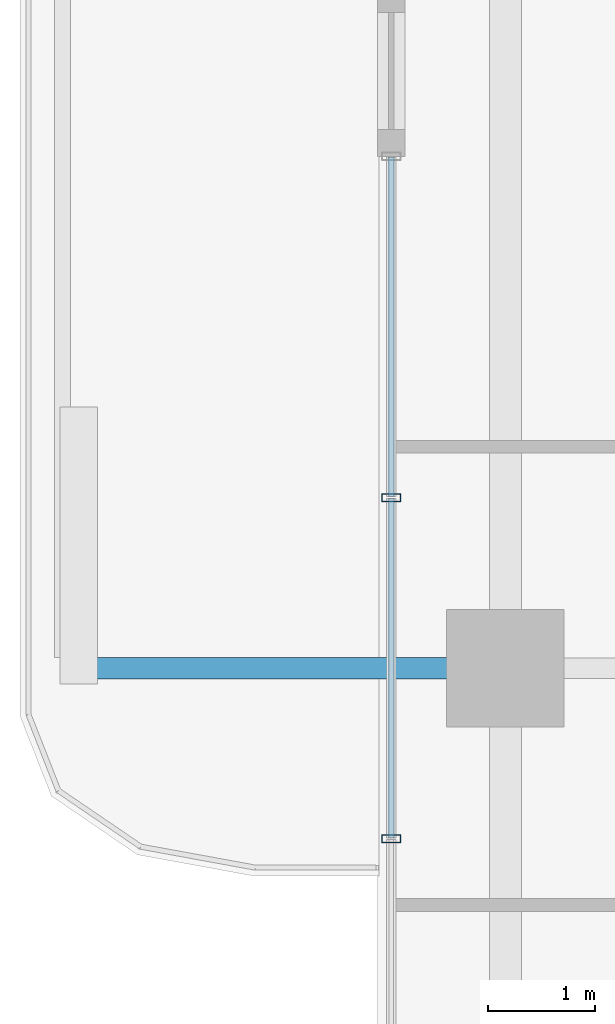
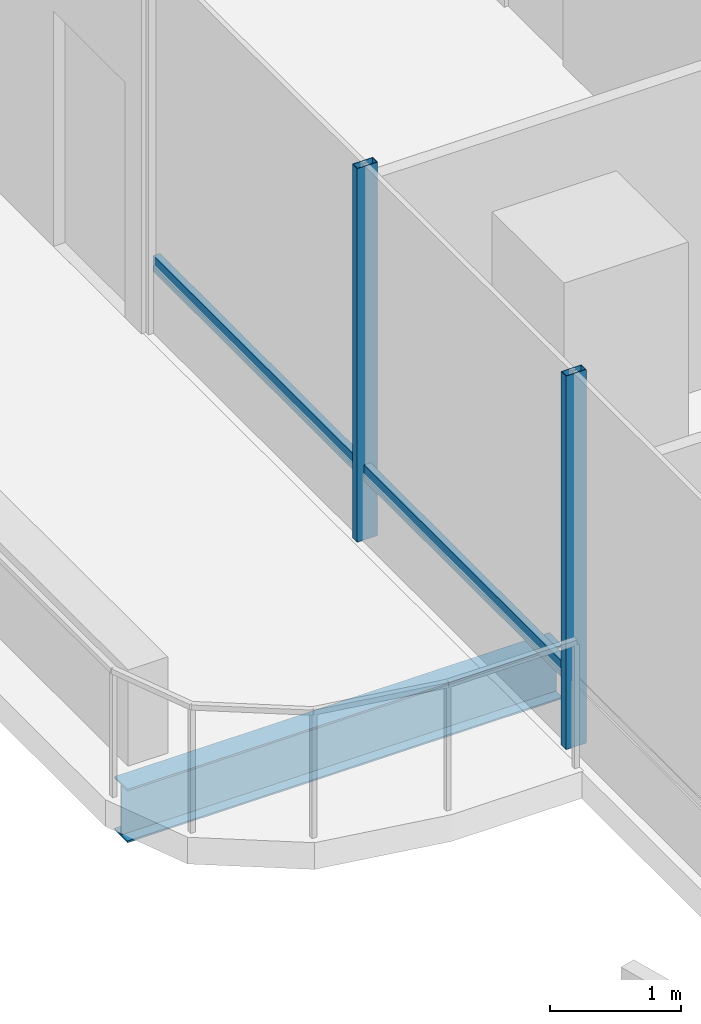
# One storey, part 6 of 25: 4 members, 1 beam, 1 element without a shape of its own.
"""IFC4 building model written with IfcOpenShell, lengths in metres."""

from ifc_helpers import new_model, si_unit, direction, frame, origin, origin_2d, place, context, subcontext, project, spatial, hollow_rectangle, i_section, extrude, material, layer, layer_set, material_profile, profile_set, type_object, element, aggregate, save


model = new_model("IFC4")

# Units and contexts
model_context = context("Model", 3, precision=1e-05, world=origin(), true_north=direction((0.0, 1.0)))
body_context = subcontext(model_context, "Body", "Model", "MODEL_VIEW")
ifc_project = project(units=[si_unit("LENGTHUNIT", "METRE"), si_unit("AREAUNIT", "SQUARE_METRE"), si_unit("VOLUMEUNIT", "CUBIC_METRE"), si_unit("PLANEANGLEUNIT", "RADIAN"), si_unit("MASSUNIT", "GRAM", prefix="KILO")], contexts=[model_context])

# Site, building, storey
site_placement = place(None, origin())
site = spatial("IfcSite", under=ifc_project, at=site_placement, CompositionType="ELEMENT")
building_placement = place(site_placement, origin())
building = spatial("IfcBuilding", under=site, at=building_placement, Name="Belovzor Exchange Tower", CompositionType="ELEMENT")
storey_placement = place(building_placement, frame((0.0, 0.0, 172.050048828125)))
storey = spatial("IfcBuildingStorey", under=building, at=storey_placement, Name="L42", CompositionType="ELEMENT", Elevation=172.050048828125)

# Beam
ifc_material_1 = material(Name="Steel S355", Category="steel")
ifc_material_profile_1 = material_profile(ifc_material_1, i_section(OverallWidth=0.199951171875, OverallDepth=0.5, WebThickness=0.01025390625, FlangeThickness=0.01611328125, at=origin_2d()))
ifc_profile_set_1 = profile_set([ifc_material_profile_1], Name="Steel S355")
beam_type = type_object("IfcBeamType", Name="Planted Balcony Cantilever Beam IPE 500", PredefinedType="BEAM", material=ifc_profile_set_1)
beam_placement = place(storey_placement, frame((5.39697265625, 28.800048828125, -0.505126953125), z_axis=(-1.0, 0.0, 0.0), x_axis=(0.0, -1.0, 0.0)))
element("IfcBeam", 1, at=beam_placement, inside=storey, type_object=beam_type, Name="BC-500 Planted Balcony Cantilever Beam IPE 500", PredefinedType="BEAM", context=body_context, shape_type="SweptSolid", body=[
    extrude(i_section(OverallWidth=0.199951171875, OverallDepth=0.5, WebThickness=0.01025390625, FlangeThickness=0.01611328125, at=origin_2d()), origin(), (0.0, 0.0, 1.0), 3.849853515625),
])

# Curtain wall, members
ifc_material_2 = material(Name="Anodised Aluminium Framing", Category="aluminium")
ifc_layer = layer(ifc_material_2, 0.179931640625)
ifc_layer_set = layer_set([ifc_layer], Name="Anodised Aluminium Framing")
curtain_wall_type = type_object("IfcCurtainWallType", Name="Recessed Loggia Low-Iron Triple-Glazed Curtain Wall", PredefinedType="NOTDEFINED", material=ifc_layer_set)
curtain_wall_placement = place(storey_placement, origin())
curtain_wall = element("IfcCurtainWall", 2, at=curtain_wall_placement, inside=storey, type_object=curtain_wall_type, Name="CW3 Recessed Loggia Low-Iron Triple-Glazed Curtain Wall L42", PredefinedType="NOTDEFINED")
ifc_material_3 = material(Name="Steel S355", Category="steel")
ifc_material_profile_2 = material_profile(ifc_material_3, hollow_rectangle(XDim=0.074951171875, YDim=0.179931640625, WallThickness=0.0048828125, at=origin_2d()))
ifc_profile_set_2 = profile_set([ifc_material_profile_2], Name="Steel S355")
member_type_1 = type_object("IfcMemberType", Name="Thermally Broken Curtain Wall Mullion 180x75", PredefinedType="MULLION", material=ifc_profile_set_2)
member_1_placement = place(storey_placement, frame((4.6298828125, 27.199951171875, 0.0), z_axis=(0.0, 0.0, 1.0), x_axis=(0.0, 1.0, 0.0)))
member_1 = element("IfcMember", 3, at=member_1_placement, type_object=member_type_1, Name="CW-M180 Curtain Wall Mullion 2", PredefinedType="MULLION", context=body_context, shape_type="SweptSolid", body=[
    extrude(hollow_rectangle(XDim=0.074951171875, YDim=0.179931640625, WallThickness=0.0048828125, at=origin_2d()), origin(), (0.0, 0.0, 1.0), 3.494873046875),
])
member_2_placement = place(storey_placement, frame((4.6298828125, 30.39990234375, 0.0), z_axis=(0.0, 0.0, 1.0), x_axis=(0.0, 1.0, 0.0)))
member_2 = element("IfcMember", 4, at=member_2_placement, type_object=member_type_1, Name="CW-M180 Curtain Wall Mullion 3", PredefinedType="MULLION", context=body_context, shape_type="SweptSolid", body=[
    extrude(hollow_rectangle(XDim=0.074951171875, YDim=0.179931640625, WallThickness=0.0048828125, at=origin_2d()), origin(), (0.0, 0.0, 1.0), 3.494873046875),
])
ifc_material_4 = material(Name="Steel S355", Category="steel")
ifc_material_profile_3 = material_profile(ifc_material_4, hollow_rectangle(XDim=0.06005859375, YDim=0.14990234375, WallThickness=0.00390625, at=origin_2d()))
ifc_profile_set_3 = profile_set([ifc_material_profile_3], Name="Steel S355")
member_type_2 = type_object("IfcMemberType", Name="Thermally Broken Curtain Wall Transom 150x60", PredefinedType="USERDEFINED", material=ifc_profile_set_3)
member_3_placement = place(storey_placement, frame((4.6298828125, 27.2080078125, 0.62890625), z_axis=(0.0, 1.0, 0.0), x_axis=(-1.0, 0.0, 0.0)))
member_3 = element("IfcMember", 5, at=member_3_placement, type_object=member_type_2, Name="CW-T150 Curtain Wall Transom 2", ObjectType="TRANSOM", PredefinedType="USERDEFINED", context=body_context, shape_type="SweptSolid", body=[
    extrude(hollow_rectangle(XDim=0.06005859375, YDim=0.14990234375, WallThickness=0.00390625, at=origin_2d()), origin(), (0.0, 0.0, 1.0), 3.18408203125),
])
member_4_placement = place(storey_placement, frame((4.6298828125, 30.407958984375, 0.62890625), z_axis=(0.0, 1.0, 0.0), x_axis=(-1.0, 0.0, 0.0)))
member_4 = element("IfcMember", 6, at=member_4_placement, type_object=member_type_2, Name="CW-T150 Curtain Wall Transom 3", ObjectType="TRANSOM", PredefinedType="USERDEFINED", context=body_context, shape_type="SweptSolid", body=[
    extrude(hollow_rectangle(XDim=0.06005859375, YDim=0.14990234375, WallThickness=0.00390625, at=origin_2d()), origin(), (0.0, 0.0, 1.0), 3.18408203125),
])
aggregate(curtain_wall, [member_1, member_2, member_3, member_4])

save(model, "model.ifc")
